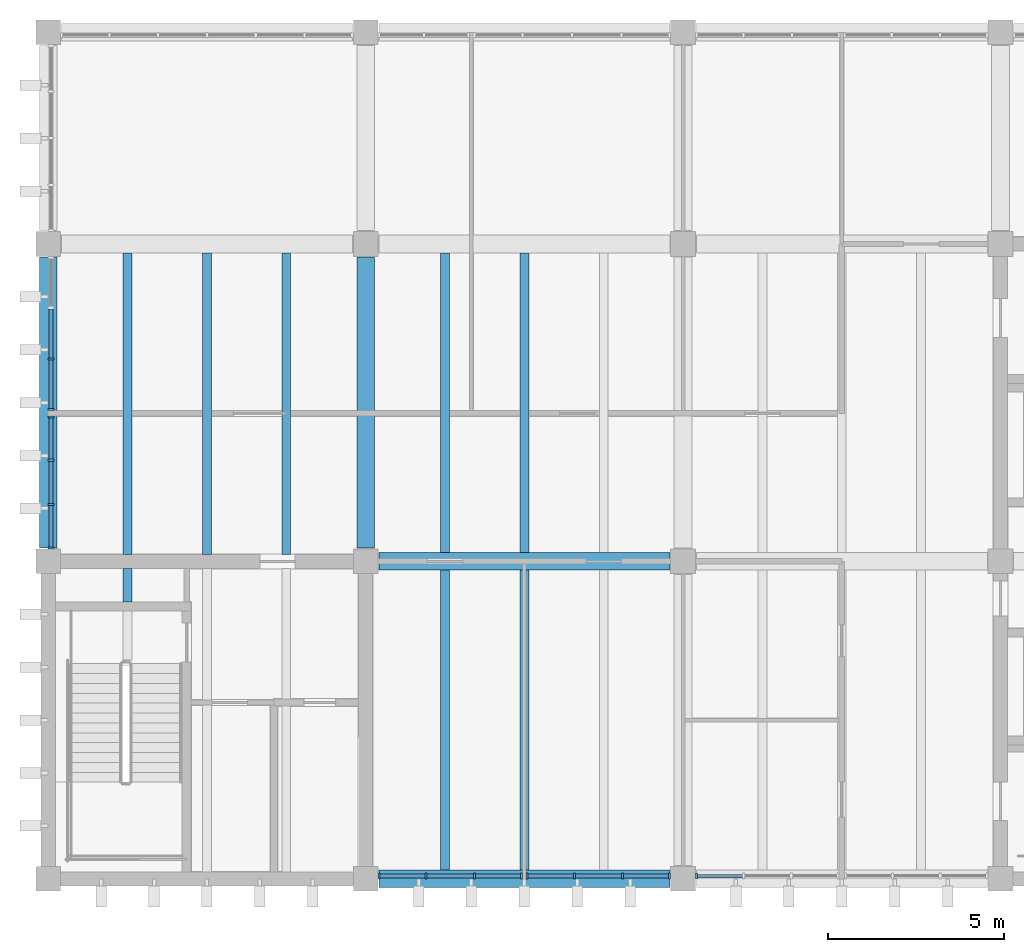
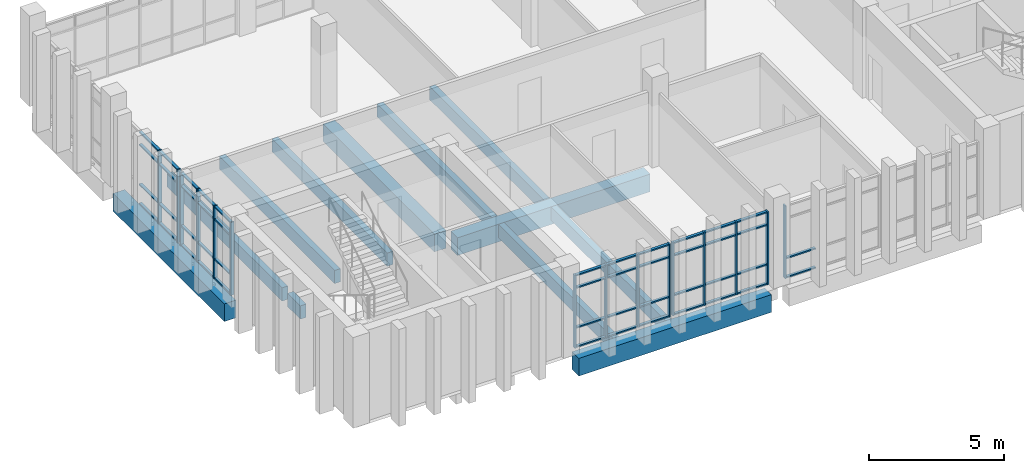
# One storey, part 2 of 14: 61 members, 12 beams, 5 elements without a shape of their own.
"""IFC4 building model written with IfcOpenShell, lengths in metres."""

import ifcopenshell
import ifcopenshell.guid

model = None  # the IFC model being written
_history = None  # IfcOwnerHistory: only IFC2X3 demands one
_inside = {}  # id of a spatial element -> (the spatial element, [elements in it])
_under = {}  # id of a project, library or spatial element -> (it, [spatial elements below it])
_declared = {}  # id of a project -> (the project, [libraries it declares])
_typed = {}  # id of a type object -> (the type object, [elements of that type])
_made_of = {}  # id of a material, layer set ... -> (it, [elements and type objects made of it])


def new_model(schema):
    """Start an empty IFC model of exactly this schema.

    Asked for "IFC4X3", IfcOpenShell would pick the latest addendum, in which some entities
    have other attributes; the version numbers below select the first issue.
    IFC2X3 requires an IfcOwnerHistory on every rooted entity: one is made here for all.
    """
    global model, _history
    if schema == "IFC4X3":
        model = ifcopenshell.file(schema_version=(4, 3, 0, 0))
    else:
        model = ifcopenshell.file(schema=schema)
    _inside.clear()
    _under.clear()
    _declared.clear()
    _typed.clear()
    _made_of.clear()
    _history = None
    if model.schema == "IFC2X3":
        org = make("IfcOrganization", Name="unknown")
        user = make(
            "IfcPersonAndOrganization",
            ThePerson=make("IfcPerson", FamilyName="unknown"),
            TheOrganization=org,
        )
        app = make(
            "IfcApplication",
            ApplicationDeveloper=org,
            Version="unknown",
            ApplicationFullName="unknown",
            ApplicationIdentifier="unknown",
        )
        _history = make(
            "IfcOwnerHistory",
            OwningUser=user,
            OwningApplication=app,
            ChangeAction="ADDED",
            CreationDate=0,
        )
    return model


def make(cls, **values):
    """One entity of the class cls with the attributes given. An attribute that is None is left unset."""
    return model.create_entity(
        cls, **{name: value for name, value in values.items() if value is not None}
    )


def rooted(cls, **values):
    """An entity with a GlobalId (a new one), such as an element, a storey or a relation."""
    return make(cls, GlobalId=ifcopenshell.guid.new(), OwnerHistory=_history, **values)


def si_unit(unit_type, name, prefix=None):
    """IfcSIUnit, for example si_unit("LENGTHUNIT", "METRE", prefix="MILLI")."""
    return make("IfcSIUnit", UnitType=unit_type, Prefix=prefix, Name=name)


def assignment(units):
    """IfcUnitAssignment: the units of a project."""
    return None if units is None else make("IfcUnitAssignment", Units=units)


def point(xyz):
    """IfcCartesianPoint."""
    return None if xyz is None else make("IfcCartesianPoint", Coordinates=xyz)


def direction(xyz):
    """IfcDirection."""
    return None if xyz is None else make("IfcDirection", DirectionRatios=xyz)


def frame(location, z_axis=None, x_axis=None):
    """IfcAxis2Placement3D, a coordinate frame: its origin and axes. An axis left out is left unset."""
    return make(
        "IfcAxis2Placement3D",
        Location=point(location),
        Axis=direction(z_axis),
        RefDirection=direction(x_axis),
    )


def frame_2d(location, x_axis=None):
    """IfcAxis2Placement2D, a coordinate frame in the plane: its origin and x axis."""
    return make(
        "IfcAxis2Placement2D", Location=point(location), RefDirection=direction(x_axis)
    )


def origin():
    """The frame at (0, 0, 0) with its axes left unset."""
    return frame((0.0, 0.0, 0.0))


def origin_2d():
    """The frame at (0, 0) in the plane with its x axis left unset."""
    return frame_2d((0.0, 0.0))


def place(relative_to, where):
    """IfcLocalPlacement: puts the frame where relative to a parent placement (None: the world)."""
    return make(
        "IfcLocalPlacement", PlacementRelTo=relative_to, RelativePlacement=where
    )


def context(
    kind, dimensions, precision=None, world=None, true_north=None, identifier=None
):
    """IfcGeometricRepresentationContext, for example the 3D "Model" context."""
    return make(
        "IfcGeometricRepresentationContext",
        ContextIdentifier=identifier,
        ContextType=kind,
        CoordinateSpaceDimension=dimensions,
        Precision=precision,
        WorldCoordinateSystem=world,
        TrueNorth=true_north,
    )


def subcontext(parent, identifier, kind, view, scale=None):
    """IfcGeometricRepresentationSubContext, for example "Body" below "Model"."""
    return make(
        "IfcGeometricRepresentationSubContext",
        ContextIdentifier=identifier,
        ContextType=kind,
        ParentContext=parent,
        TargetScale=scale,
        TargetView=view,
    )


def project(units=None, contexts=None):
    """IfcProject with its units and contexts."""
    return rooted(
        "IfcProject",
        Name="project",
        RepresentationContexts=contexts,
        UnitsInContext=assignment(units),
    )


def spatial(cls, under=None, at=None, **own):
    """A site, building, storey or space (cls), placed at a placement, below another one or the project."""
    s = rooted(cls, ObjectPlacement=at, **own)
    if under is not None:
        _under.setdefault(under.id(), (under, []))[1].append(s)
    return s


def profile(cls, at=None, kind="AREA", **sizes):
    """A parametric profile (cls). Its sizes go by their IFC names, for example OverallWidth=200.0."""
    return make(cls, ProfileType=kind, Position=at, **sizes)


def rectangle(**sizes):
    """IfcRectangleProfileDef."""
    return profile("IfcRectangleProfileDef", **sizes)


def extrude(swept, where, along, depth):
    """IfcExtrudedAreaSolid: the profile swept, set in the frame where, extruded along a direction by depth."""
    return make(
        "IfcExtrudedAreaSolid",
        SweptArea=swept,
        Position=where,
        ExtrudedDirection=direction(along),
        Depth=depth,
    )


def shape(context_of_items, identifier, shape_type, items):
    """IfcShapeRepresentation: the items that make up one representation, for example the "Body"."""
    return make(
        "IfcShapeRepresentation",
        ContextOfItems=context_of_items,
        RepresentationIdentifier=identifier,
        RepresentationType=shape_type,
        Items=items,
    )


def material(Name=None, Category=None):
    """IfcMaterial."""
    return make("IfcMaterial", Name=Name, Category=Category)


def material_profile(
    of_material, cross_section, Name=None, Category=None, Priority=None
):
    """IfcMaterialProfile: a cross section and its material."""
    return make(
        "IfcMaterialProfile",
        Name=Name,
        Material=of_material,
        Profile=cross_section,
        Priority=Priority,
        Category=Category,
    )


def profile_set(profiles, Name=None, composite=None):
    """IfcMaterialProfileSet."""
    return make(
        "IfcMaterialProfileSet",
        Name=Name,
        MaterialProfiles=profiles,
        CompositeProfile=composite,
    )


def made_of(thing, what):
    """Note that an element or type object is made of a material, layer set ...; save() writes the relation."""
    if what is not None:
        _made_of.setdefault(what.id(), (what, []))[1].append(thing)
    return thing


def type_object(cls, material=None, **own):
    """A type object (cls), such as IfcWallType, which elements share."""
    return made_of(rooted(cls, **own), material)


def element(
    cls,
    number,
    at=None,
    inside=None,
    cuts=None,
    type_object=None,
    material=None,
    context=None,
    identifier="Body",
    shape_type=None,
    held_by="IfcProductDefinitionShape",
    body=None,
    shapes=None,
    **own,
):
    """One element of the class cls, such as IfcWall. Its Tag is "e" and its number.

    at: its placement. inside: the storey or other place that contains it. cuts: it is an
    opening in that element (IfcRelVoidsElement). A single representation is given by context,
    identifier, shape_type and body (its items); several are given by shapes. held_by: the class
    of the entity that holds the representations. save() writes the other relations.
    """
    e = rooted(cls, Tag="e%d" % number, ObjectPlacement=at, **own)
    if body is not None:
        shapes = [shape(context, identifier, shape_type, body)]
    if shapes is not None:
        e.Representation = make(held_by, Representations=shapes)
    if inside is not None:
        _inside.setdefault(inside.id(), (inside, []))[1].append(e)
    if cuts is not None:
        rooted(
            "IfcRelVoidsElement", RelatingBuildingElement=cuts, RelatedOpeningElement=e
        )
    if type_object is not None:
        _typed.setdefault(type_object.id(), (type_object, []))[1].append(e)
    return made_of(e, material)


def aggregate(whole, parts):
    """IfcRelAggregates: a whole, such as a stair, and the parts it consists of."""
    return rooted("IfcRelAggregates", RelatingObject=whole, RelatedObjects=parts)


def save(model, path):
    """Write the relations noted so far, then the file.

    IfcRelAggregates (storeys below a building ...), IfcRelContainedInSpatialStructure (elements
    in a storey), IfcRelDefinesByType, IfcRelAssociatesMaterial and IfcRelDeclares: one each for
    every whole, place, type object, material and project.
    """
    for whole, parts in _under.values():
        aggregate(whole, parts)
    for where, things in _inside.values():
        rooted(
            "IfcRelContainedInSpatialStructure",
            RelatedElements=things,
            RelatingStructure=where,
        )
    for kind, things in _typed.values():
        rooted("IfcRelDefinesByType", RelatedObjects=things, RelatingType=kind)
    for what, things in _made_of.values():
        rooted("IfcRelAssociatesMaterial", RelatedObjects=things, RelatingMaterial=what)
    for by, libraries in _declared.values():
        rooted("IfcRelDeclares", RelatingContext=by, RelatedDefinitions=libraries)
    model.write(path)


model = new_model("IFC4")

# Units and contexts
model_context = context("Model", 3, precision=1e-05, world=origin(), true_north=direction((0.0, 1.0)))
body_context = subcontext(model_context, "Body", "Model", "MODEL_VIEW")
ifc_project = project(units=[si_unit("LENGTHUNIT", "METRE"), si_unit("AREAUNIT", "SQUARE_METRE"), si_unit("VOLUMEUNIT", "CUBIC_METRE"), si_unit("PLANEANGLEUNIT", "RADIAN"), si_unit("MASSUNIT", "GRAM", prefix="KILO")], contexts=[model_context])

# Site, building, storey
site_placement = place(None, origin())
site = spatial("IfcSite", under=ifc_project, at=site_placement, CompositionType="ELEMENT")
building_placement = place(site_placement, origin())
building = spatial("IfcBuilding", under=site, at=building_placement, Name="Merrow Basin Faculty of Sciences", CompositionType="ELEMENT")
storey_placement = place(building_placement, frame((0.0, 0.0, 36.0)))
storey = spatial("IfcBuildingStorey", under=building, at=storey_placement, Name="L08", CompositionType="ELEMENT", Elevation=36.0)

# Curtain wall, members
ifc_material_1 = material(Name="Aluminium alloy 6063", Category="aluminium")
curtain_wall_type = type_object("IfcCurtainWallType", Name="Unitised curtain wall 160", PredefinedType="NOTDEFINED", material=ifc_material_1)
curtain_wall_1_placement = place(storey_placement, origin())
curtain_wall_1 = element("IfcCurtainWall", 1, at=curtain_wall_1_placement, inside=storey, type_object=curtain_wall_type, Name="W curtain wall L08 1", PredefinedType="NOTDEFINED")
ifc_material_2 = material(Name="Aluminium alloy 6063", Category="aluminium")
ifc_material_profile_1 = material_profile(ifc_material_2, rectangle(XDim=0.159912109375, YDim=0.06005859375, at=origin_2d()))
ifc_profile_set_1 = profile_set([ifc_material_profile_1], Name="Aluminium alloy 6063")
member_type_1 = type_object("IfcMemberType", Name="Aluminium mullion 60x160", PredefinedType="MULLION", material=ifc_profile_set_1)
member_1_placement = place(storey_placement, frame((18.080078125, 151.3798828125, 0.0), z_axis=(0.0, 0.0, 1.0), x_axis=(-1.0, 0.0, 0.0)))
member_1 = element("IfcMember", 2, at=member_1_placement, type_object=member_type_1, Name="CW3 mullion 1", PredefinedType="MULLION", context=body_context, shape_type="SweptSolid", body=[
    extrude(rectangle(XDim=0.159912109375, YDim=0.06005859375, at=origin_2d()), origin(), (0.0, 0.0, 1.0), 3.300048828125),
])
member_2_placement = place(storey_placement, frame((18.080078125, 152.6083984375, 0.0), z_axis=(0.0, 0.0, 1.0), x_axis=(-1.0, 0.0, 0.0)))
member_2 = element("IfcMember", 3, at=member_2_placement, type_object=member_type_1, Name="CW3 mullion 2", PredefinedType="MULLION", context=body_context, shape_type="SweptSolid", body=[
    extrude(rectangle(XDim=0.159912109375, YDim=0.06005859375, at=origin_2d()), origin(), (0.0, 0.0, 1.0), 3.300048828125),
])
member_3_placement = place(storey_placement, frame((18.080078125, 153.86669921875, 0.0), z_axis=(0.0, 0.0, 1.0), x_axis=(-1.0, 0.0, 0.0)))
member_3 = element("IfcMember", 4, at=member_3_placement, type_object=member_type_1, Name="CW3 mullion 3", PredefinedType="MULLION", context=body_context, shape_type="SweptSolid", body=[
    extrude(rectangle(XDim=0.159912109375, YDim=0.06005859375, at=origin_2d()), origin(), (0.0, 0.0, 1.0), 3.300048828125),
])
member_4_placement = place(storey_placement, frame((18.080078125, 155.094970703125, 0.0), z_axis=(0.0, 0.0, 1.0), x_axis=(-1.0, 0.0, 0.0)))
member_4 = element("IfcMember", 5, at=member_4_placement, type_object=member_type_1, Name="CW3 mullion 4", PredefinedType="MULLION", context=body_context, shape_type="SweptSolid", body=[
    extrude(rectangle(XDim=0.159912109375, YDim=0.06005859375, at=origin_2d()), origin(), (0.0, 0.0, 1.0), 3.300048828125),
])

curtain_wall_2_placement = place(storey_placement, origin())
curtain_wall_2 = element("IfcCurtainWall", 6, at=curtain_wall_2_placement, inside=storey, type_object=curtain_wall_type, Name="W curtain wall L08 2", PredefinedType="NOTDEFINED")
member_5_placement = place(storey_placement, frame((18.080078125, 155.304931640625, 0.0), z_axis=(0.0, 0.0, 1.0), x_axis=(-1.0, 0.0, 0.0)))
member_5 = element("IfcMember", 7, at=member_5_placement, type_object=member_type_1, Name="CW3 mullion 1", PredefinedType="MULLION", context=body_context, shape_type="SweptSolid", body=[
    extrude(rectangle(XDim=0.159912109375, YDim=0.06005859375, at=origin_2d()), origin(), (0.0, 0.0, 1.0), 3.300048828125),
])
member_6_placement = place(storey_placement, frame((18.080078125, 156.7333984375, 0.0), z_axis=(0.0, 0.0, 1.0), x_axis=(-1.0, 0.0, 0.0)))
member_6 = element("IfcMember", 8, at=member_6_placement, type_object=member_type_1, Name="CW3 mullion 2", PredefinedType="MULLION", context=body_context, shape_type="SweptSolid", body=[
    extrude(rectangle(XDim=0.159912109375, YDim=0.06005859375, at=origin_2d()), origin(), (0.0, 0.0, 1.0), 3.300048828125),
])

curtain_wall_3_placement = place(storey_placement, origin())
curtain_wall_3 = element("IfcCurtainWall", 9, at=curtain_wall_3_placement, inside=storey, type_object=curtain_wall_type, Name="S curtain wall L08 1", PredefinedType="NOTDEFINED")
member_7_placement = place(storey_placement, frame((27.3798828125, 142.080078125, 0.0), z_axis=(0.0, 0.0, 1.0), x_axis=(0.0, 1.0, 0.0)))
member_7 = element("IfcMember", 10, at=member_7_placement, type_object=member_type_1, Name="CW3 mullion 1", PredefinedType="MULLION", context=body_context, shape_type="SweptSolid", body=[
    extrude(rectangle(XDim=0.159912109375, YDim=0.06005859375, at=origin_2d()), origin(), (0.0, 0.0, 1.0), 3.300048828125),
])
member_8_placement = place(storey_placement, frame((28.716552734375, 142.080078125, 0.0), z_axis=(0.0, 0.0, 1.0), x_axis=(0.0, 1.0, 0.0)))
member_8 = element("IfcMember", 11, at=member_8_placement, type_object=member_type_1, Name="CW3 mullion 2", PredefinedType="MULLION", context=body_context, shape_type="SweptSolid", body=[
    extrude(rectangle(XDim=0.159912109375, YDim=0.06005859375, at=origin_2d()), origin(), (0.0, 0.0, 1.0), 3.300048828125),
])
member_9_placement = place(storey_placement, frame((30.083251953125, 142.080078125, 0.0), z_axis=(0.0, 0.0, 1.0), x_axis=(0.0, 1.0, 0.0)))
member_9 = element("IfcMember", 12, at=member_9_placement, type_object=member_type_1, Name="CW3 mullion 3", PredefinedType="MULLION", context=body_context, shape_type="SweptSolid", body=[
    extrude(rectangle(XDim=0.159912109375, YDim=0.06005859375, at=origin_2d()), origin(), (0.0, 0.0, 1.0), 3.300048828125),
])
member_10_placement = place(storey_placement, frame((31.419921875, 142.080078125, 0.0), z_axis=(0.0, 0.0, 1.0), x_axis=(0.0, 1.0, 0.0)))
member_10 = element("IfcMember", 13, at=member_10_placement, type_object=member_type_1, Name="CW3 mullion 4", PredefinedType="MULLION", context=body_context, shape_type="SweptSolid", body=[
    extrude(rectangle(XDim=0.159912109375, YDim=0.06005859375, at=origin_2d()), origin(), (0.0, 0.0, 1.0), 3.300048828125),
])

curtain_wall_4_placement = place(storey_placement, origin())
curtain_wall_4 = element("IfcCurtainWall", 14, at=curtain_wall_4_placement, inside=storey, type_object=curtain_wall_type, Name="S curtain wall L08 2", PredefinedType="NOTDEFINED")
member_11_placement = place(storey_placement, frame((31.580078125, 142.080078125, 0.0), z_axis=(0.0, 0.0, 1.0), x_axis=(0.0, 1.0, 0.0)))
member_11 = element("IfcMember", 15, at=member_11_placement, type_object=member_type_1, Name="CW3 mullion 1", PredefinedType="MULLION", context=body_context, shape_type="SweptSolid", body=[
    extrude(rectangle(XDim=0.159912109375, YDim=0.06005859375, at=origin_2d()), origin(), (0.0, 0.0, 1.0), 3.300048828125),
])
member_12_placement = place(storey_placement, frame((32.916748046875, 142.080078125, 0.0), z_axis=(0.0, 0.0, 1.0), x_axis=(0.0, 1.0, 0.0)))
member_12 = element("IfcMember", 16, at=member_12_placement, type_object=member_type_1, Name="CW3 mullion 2", PredefinedType="MULLION", context=body_context, shape_type="SweptSolid", body=[
    extrude(rectangle(XDim=0.159912109375, YDim=0.06005859375, at=origin_2d()), origin(), (0.0, 0.0, 1.0), 3.300048828125),
])
member_13_placement = place(storey_placement, frame((34.283447265625, 142.080078125, 0.0), z_axis=(0.0, 0.0, 1.0), x_axis=(0.0, 1.0, 0.0)))
member_13 = element("IfcMember", 17, at=member_13_placement, type_object=member_type_1, Name="CW3 mullion 3", PredefinedType="MULLION", context=body_context, shape_type="SweptSolid", body=[
    extrude(rectangle(XDim=0.159912109375, YDim=0.06005859375, at=origin_2d()), origin(), (0.0, 0.0, 1.0), 3.300048828125),
])
member_14_placement = place(storey_placement, frame((35.6201171875, 142.080078125, 0.0), z_axis=(0.0, 0.0, 1.0), x_axis=(0.0, 1.0, 0.0)))
member_14 = element("IfcMember", 18, at=member_14_placement, type_object=member_type_1, Name="CW3 mullion 4", PredefinedType="MULLION", context=body_context, shape_type="SweptSolid", body=[
    extrude(rectangle(XDim=0.159912109375, YDim=0.06005859375, at=origin_2d()), origin(), (0.0, 0.0, 1.0), 3.300048828125),
])

# Curtain wall, member
curtain_wall_5_placement = place(storey_placement, origin())
curtain_wall_5 = element("IfcCurtainWall", 19, at=curtain_wall_5_placement, inside=storey, type_object=curtain_wall_type, Name="S curtain wall L08 3", PredefinedType="NOTDEFINED")
member_15_placement = place(storey_placement, frame((36.3798828125, 142.080078125, 0.0), z_axis=(0.0, 0.0, 1.0), x_axis=(0.0, 1.0, 0.0)))
member_15 = element("IfcMember", 20, at=member_15_placement, type_object=member_type_1, Name="CW3 mullion 1", PredefinedType="MULLION", context=body_context, shape_type="SweptSolid", body=[
    extrude(rectangle(XDim=0.159912109375, YDim=0.06005859375, at=origin_2d()), origin(), (0.0, 0.0, 1.0), 3.300048828125),
])

# Member
ifc_material_3 = material(Name="Aluminium alloy 6063", Category="aluminium")
ifc_material_profile_2 = material_profile(ifc_material_3, rectangle(XDim=0.1201171875, YDim=0.06005859375, at=origin_2d()))
ifc_profile_set_2 = profile_set([ifc_material_profile_2], Name="Aluminium alloy 6063")
member_type_2 = type_object("IfcMemberType", Name="Aluminium transom 60x120", PredefinedType="USERDEFINED", material=ifc_profile_set_2)
member_16_placement = place(storey_placement, frame((18.080078125, 151.409912109375, 0.030029296875), z_axis=(0.0, 1.0, 0.0), x_axis=(-1.0, 0.0, 0.0)))
member_16 = element("IfcMember", 21, at=member_16_placement, type_object=member_type_2, Name="CW3 transom 1.1", ObjectType="TRANSOM", PredefinedType="USERDEFINED", context=body_context, shape_type="SweptSolid", body=[
    extrude(rectangle(XDim=0.1201171875, YDim=0.06005859375, at=origin_2d()), origin(), (0.0, 0.0, 1.0), 1.16845703125),
])

member_17_placement = place(storey_placement, frame((18.080078125, 151.409912109375, 0.89990234375), z_axis=(0.0, 1.0, 0.0), x_axis=(-1.0, 0.0, 0.0)))
member_17 = element("IfcMember", 22, at=member_17_placement, type_object=member_type_2, Name="CW3 transom 1.2", ObjectType="TRANSOM", PredefinedType="USERDEFINED", context=body_context, shape_type="SweptSolid", body=[
    extrude(rectangle(XDim=0.1201171875, YDim=0.06005859375, at=origin_2d()), origin(), (0.0, 0.0, 1.0), 1.16845703125),
])

member_18_placement = place(storey_placement, frame((18.080078125, 151.409912109375, 2.699951171875), z_axis=(0.0, 1.0, 0.0), x_axis=(-1.0, 0.0, 0.0)))
member_18 = element("IfcMember", 23, at=member_18_placement, type_object=member_type_2, Name="CW3 transom 1.3", ObjectType="TRANSOM", PredefinedType="USERDEFINED", context=body_context, shape_type="SweptSolid", body=[
    extrude(rectangle(XDim=0.1201171875, YDim=0.06005859375, at=origin_2d()), origin(), (0.0, 0.0, 1.0), 1.16845703125),
])

member_19_placement = place(storey_placement, frame((18.080078125, 151.409912109375, 3.27001953125), z_axis=(0.0, 1.0, 0.0), x_axis=(-1.0, 0.0, 0.0)))
member_19 = element("IfcMember", 24, at=member_19_placement, type_object=member_type_2, Name="CW3 transom 1.4", ObjectType="TRANSOM", PredefinedType="USERDEFINED", context=body_context, shape_type="SweptSolid", body=[
    extrude(rectangle(XDim=0.1201171875, YDim=0.06005859375, at=origin_2d()), origin(), (0.0, 0.0, 1.0), 1.16845703125),
])

member_20_placement = place(storey_placement, frame((18.080078125, 152.638427734375, 0.030029296875), z_axis=(0.0, 1.0, 0.0), x_axis=(-1.0, 0.0, 0.0)))
member_20 = element("IfcMember", 25, at=member_20_placement, type_object=member_type_2, Name="CW3 transom 2.1", ObjectType="TRANSOM", PredefinedType="USERDEFINED", context=body_context, shape_type="SweptSolid", body=[
    extrude(rectangle(XDim=0.1201171875, YDim=0.06005859375, at=origin_2d()), origin(), (0.0, 0.0, 1.0), 1.1982421875),
])

member_21_placement = place(storey_placement, frame((18.080078125, 152.638427734375, 0.89990234375), z_axis=(0.0, 1.0, 0.0), x_axis=(-1.0, 0.0, 0.0)))
member_21 = element("IfcMember", 26, at=member_21_placement, type_object=member_type_2, Name="CW3 transom 2.2", ObjectType="TRANSOM", PredefinedType="USERDEFINED", context=body_context, shape_type="SweptSolid", body=[
    extrude(rectangle(XDim=0.1201171875, YDim=0.06005859375, at=origin_2d()), origin(), (0.0, 0.0, 1.0), 1.1982421875),
])

member_22_placement = place(storey_placement, frame((18.080078125, 152.638427734375, 2.699951171875), z_axis=(0.0, 1.0, 0.0), x_axis=(-1.0, 0.0, 0.0)))
member_22 = element("IfcMember", 27, at=member_22_placement, type_object=member_type_2, Name="CW3 transom 2.3", ObjectType="TRANSOM", PredefinedType="USERDEFINED", context=body_context, shape_type="SweptSolid", body=[
    extrude(rectangle(XDim=0.1201171875, YDim=0.06005859375, at=origin_2d()), origin(), (0.0, 0.0, 1.0), 1.1982421875),
])

member_23_placement = place(storey_placement, frame((18.080078125, 152.638427734375, 3.27001953125), z_axis=(0.0, 1.0, 0.0), x_axis=(-1.0, 0.0, 0.0)))
member_23 = element("IfcMember", 28, at=member_23_placement, type_object=member_type_2, Name="CW3 transom 2.4", ObjectType="TRANSOM", PredefinedType="USERDEFINED", context=body_context, shape_type="SweptSolid", body=[
    extrude(rectangle(XDim=0.1201171875, YDim=0.06005859375, at=origin_2d()), origin(), (0.0, 0.0, 1.0), 1.1982421875),
])

member_24_placement = place(storey_placement, frame((18.080078125, 153.896728515625, 0.030029296875), z_axis=(0.0, 1.0, 0.0), x_axis=(-1.0, 0.0, 0.0)))
member_24 = element("IfcMember", 29, at=member_24_placement, type_object=member_type_2, Name="CW3 transom 3.1", ObjectType="TRANSOM", PredefinedType="USERDEFINED", context=body_context, shape_type="SweptSolid", body=[
    extrude(rectangle(XDim=0.1201171875, YDim=0.06005859375, at=origin_2d()), origin(), (0.0, 0.0, 1.0), 1.168212890625),
])

member_25_placement = place(storey_placement, frame((18.080078125, 153.896728515625, 0.89990234375), z_axis=(0.0, 1.0, 0.0), x_axis=(-1.0, 0.0, 0.0)))
member_25 = element("IfcMember", 30, at=member_25_placement, type_object=member_type_2, Name="CW3 transom 3.2", ObjectType="TRANSOM", PredefinedType="USERDEFINED", context=body_context, shape_type="SweptSolid", body=[
    extrude(rectangle(XDim=0.1201171875, YDim=0.06005859375, at=origin_2d()), origin(), (0.0, 0.0, 1.0), 1.168212890625),
])

member_26_placement = place(storey_placement, frame((18.080078125, 153.896728515625, 2.699951171875), z_axis=(0.0, 1.0, 0.0), x_axis=(-1.0, 0.0, 0.0)))
member_26 = element("IfcMember", 31, at=member_26_placement, type_object=member_type_2, Name="CW3 transom 3.3", ObjectType="TRANSOM", PredefinedType="USERDEFINED", context=body_context, shape_type="SweptSolid", body=[
    extrude(rectangle(XDim=0.1201171875, YDim=0.06005859375, at=origin_2d()), origin(), (0.0, 0.0, 1.0), 1.168212890625),
])

member_27_placement = place(storey_placement, frame((18.080078125, 153.896728515625, 3.27001953125), z_axis=(0.0, 1.0, 0.0), x_axis=(-1.0, 0.0, 0.0)))
member_27 = element("IfcMember", 32, at=member_27_placement, type_object=member_type_2, Name="CW3 transom 3.4", ObjectType="TRANSOM", PredefinedType="USERDEFINED", context=body_context, shape_type="SweptSolid", body=[
    extrude(rectangle(XDim=0.1201171875, YDim=0.06005859375, at=origin_2d()), origin(), (0.0, 0.0, 1.0), 1.168212890625),
])

aggregate(curtain_wall_1, [member_1, member_2, member_3, member_4, member_16, member_17, member_18, member_19, member_20, member_21, member_22, member_23, member_24, member_25, member_26, member_27])

member_28_placement = place(storey_placement, frame((18.080078125, 155.3349609375, 0.030029296875), z_axis=(0.0, 1.0, 0.0), x_axis=(-1.0, 0.0, 0.0)))
member_28 = element("IfcMember", 33, at=member_28_placement, type_object=member_type_2, Name="CW3 transom 1.1", ObjectType="TRANSOM", PredefinedType="USERDEFINED", context=body_context, shape_type="SweptSolid", body=[
    extrude(rectangle(XDim=0.1201171875, YDim=0.06005859375, at=origin_2d()), origin(), (0.0, 0.0, 1.0), 1.368408203125),
])

member_29_placement = place(storey_placement, frame((18.080078125, 155.3349609375, 0.89990234375), z_axis=(0.0, 1.0, 0.0), x_axis=(-1.0, 0.0, 0.0)))
member_29 = element("IfcMember", 34, at=member_29_placement, type_object=member_type_2, Name="CW3 transom 1.2", ObjectType="TRANSOM", PredefinedType="USERDEFINED", context=body_context, shape_type="SweptSolid", body=[
    extrude(rectangle(XDim=0.1201171875, YDim=0.06005859375, at=origin_2d()), origin(), (0.0, 0.0, 1.0), 1.368408203125),
])

member_30_placement = place(storey_placement, frame((18.080078125, 155.3349609375, 2.699951171875), z_axis=(0.0, 1.0, 0.0), x_axis=(-1.0, 0.0, 0.0)))
member_30 = element("IfcMember", 35, at=member_30_placement, type_object=member_type_2, Name="CW3 transom 1.3", ObjectType="TRANSOM", PredefinedType="USERDEFINED", context=body_context, shape_type="SweptSolid", body=[
    extrude(rectangle(XDim=0.1201171875, YDim=0.06005859375, at=origin_2d()), origin(), (0.0, 0.0, 1.0), 1.368408203125),
])

member_31_placement = place(storey_placement, frame((18.080078125, 155.3349609375, 3.27001953125), z_axis=(0.0, 1.0, 0.0), x_axis=(-1.0, 0.0, 0.0)))
member_31 = element("IfcMember", 36, at=member_31_placement, type_object=member_type_2, Name="CW3 transom 1.4", ObjectType="TRANSOM", PredefinedType="USERDEFINED", context=body_context, shape_type="SweptSolid", body=[
    extrude(rectangle(XDim=0.1201171875, YDim=0.06005859375, at=origin_2d()), origin(), (0.0, 0.0, 1.0), 1.368408203125),
])

member_32_placement = place(storey_placement, frame((18.080078125, 156.763427734375, 0.030029296875), z_axis=(0.0, 1.0, 0.0), x_axis=(-1.0, 0.0, 0.0)))
member_32 = element("IfcMember", 37, at=member_32_placement, type_object=member_type_2, Name="CW3 transom 2.1", ObjectType="TRANSOM", PredefinedType="USERDEFINED", context=body_context, shape_type="SweptSolid", body=[
    extrude(rectangle(XDim=0.1201171875, YDim=0.06005859375, at=origin_2d()), origin(), (0.0, 0.0, 1.0), 1.398193359375),
])

member_33_placement = place(storey_placement, frame((18.080078125, 156.763427734375, 0.89990234375), z_axis=(0.0, 1.0, 0.0), x_axis=(-1.0, 0.0, 0.0)))
member_33 = element("IfcMember", 38, at=member_33_placement, type_object=member_type_2, Name="CW3 transom 2.2", ObjectType="TRANSOM", PredefinedType="USERDEFINED", context=body_context, shape_type="SweptSolid", body=[
    extrude(rectangle(XDim=0.1201171875, YDim=0.06005859375, at=origin_2d()), origin(), (0.0, 0.0, 1.0), 1.398193359375),
])

member_34_placement = place(storey_placement, frame((18.080078125, 156.763427734375, 2.699951171875), z_axis=(0.0, 1.0, 0.0), x_axis=(-1.0, 0.0, 0.0)))
member_34 = element("IfcMember", 39, at=member_34_placement, type_object=member_type_2, Name="CW3 transom 2.3", ObjectType="TRANSOM", PredefinedType="USERDEFINED", context=body_context, shape_type="SweptSolid", body=[
    extrude(rectangle(XDim=0.1201171875, YDim=0.06005859375, at=origin_2d()), origin(), (0.0, 0.0, 1.0), 1.398193359375),
])

member_35_placement = place(storey_placement, frame((18.080078125, 156.763427734375, 3.27001953125), z_axis=(0.0, 1.0, 0.0), x_axis=(-1.0, 0.0, 0.0)))
member_35 = element("IfcMember", 40, at=member_35_placement, type_object=member_type_2, Name="CW3 transom 2.4", ObjectType="TRANSOM", PredefinedType="USERDEFINED", context=body_context, shape_type="SweptSolid", body=[
    extrude(rectangle(XDim=0.1201171875, YDim=0.06005859375, at=origin_2d()), origin(), (0.0, 0.0, 1.0), 1.398193359375),
])

aggregate(curtain_wall_2, [member_5, member_6, member_28, member_29, member_30, member_31, member_32, member_33, member_34, member_35])

member_36_placement = place(storey_placement, frame((27.409912109375, 142.080078125, 0.030029296875), z_axis=(1.0, 0.0, 0.0), x_axis=(0.0, 1.0, 0.0)))
member_36 = element("IfcMember", 41, at=member_36_placement, type_object=member_type_2, Name="CW3 transom 1.1", ObjectType="TRANSOM", PredefinedType="USERDEFINED", context=body_context, shape_type="SweptSolid", body=[
    extrude(rectangle(XDim=0.1201171875, YDim=0.06005859375, at=origin_2d()), origin(), (0.0, 0.0, 1.0), 1.27685546875),
])

member_37_placement = place(storey_placement, frame((27.409912109375, 142.080078125, 0.89990234375), z_axis=(1.0, 0.0, 0.0), x_axis=(0.0, 1.0, 0.0)))
member_37 = element("IfcMember", 42, at=member_37_placement, type_object=member_type_2, Name="CW3 transom 1.2", ObjectType="TRANSOM", PredefinedType="USERDEFINED", context=body_context, shape_type="SweptSolid", body=[
    extrude(rectangle(XDim=0.1201171875, YDim=0.06005859375, at=origin_2d()), origin(), (0.0, 0.0, 1.0), 1.27685546875),
])

member_38_placement = place(storey_placement, frame((27.409912109375, 142.080078125, 2.699951171875), z_axis=(1.0, 0.0, 0.0), x_axis=(0.0, 1.0, 0.0)))
member_38 = element("IfcMember", 43, at=member_38_placement, type_object=member_type_2, Name="CW3 transom 1.3", ObjectType="TRANSOM", PredefinedType="USERDEFINED", context=body_context, shape_type="SweptSolid", body=[
    extrude(rectangle(XDim=0.1201171875, YDim=0.06005859375, at=origin_2d()), origin(), (0.0, 0.0, 1.0), 1.27685546875),
])

member_39_placement = place(storey_placement, frame((27.409912109375, 142.080078125, 3.27001953125), z_axis=(1.0, 0.0, 0.0), x_axis=(0.0, 1.0, 0.0)))
member_39 = element("IfcMember", 44, at=member_39_placement, type_object=member_type_2, Name="CW3 transom 1.4", ObjectType="TRANSOM", PredefinedType="USERDEFINED", context=body_context, shape_type="SweptSolid", body=[
    extrude(rectangle(XDim=0.1201171875, YDim=0.06005859375, at=origin_2d()), origin(), (0.0, 0.0, 1.0), 1.27685546875),
])

member_40_placement = place(storey_placement, frame((28.74658203125, 142.080078125, 0.030029296875), z_axis=(1.0, 0.0, 0.0), x_axis=(0.0, 1.0, 0.0)))
member_40 = element("IfcMember", 45, at=member_40_placement, type_object=member_type_2, Name="CW3 transom 2.1", ObjectType="TRANSOM", PredefinedType="USERDEFINED", context=body_context, shape_type="SweptSolid", body=[
    extrude(rectangle(XDim=0.1201171875, YDim=0.06005859375, at=origin_2d()), origin(), (0.0, 0.0, 1.0), 1.306640625),
])

member_41_placement = place(storey_placement, frame((28.74658203125, 142.080078125, 0.89990234375), z_axis=(1.0, 0.0, 0.0), x_axis=(0.0, 1.0, 0.0)))
member_41 = element("IfcMember", 46, at=member_41_placement, type_object=member_type_2, Name="CW3 transom 2.2", ObjectType="TRANSOM", PredefinedType="USERDEFINED", context=body_context, shape_type="SweptSolid", body=[
    extrude(rectangle(XDim=0.1201171875, YDim=0.06005859375, at=origin_2d()), origin(), (0.0, 0.0, 1.0), 1.306640625),
])

member_42_placement = place(storey_placement, frame((28.74658203125, 142.080078125, 2.699951171875), z_axis=(1.0, 0.0, 0.0), x_axis=(0.0, 1.0, 0.0)))
member_42 = element("IfcMember", 47, at=member_42_placement, type_object=member_type_2, Name="CW3 transom 2.3", ObjectType="TRANSOM", PredefinedType="USERDEFINED", context=body_context, shape_type="SweptSolid", body=[
    extrude(rectangle(XDim=0.1201171875, YDim=0.06005859375, at=origin_2d()), origin(), (0.0, 0.0, 1.0), 1.306640625),
])

member_43_placement = place(storey_placement, frame((28.74658203125, 142.080078125, 3.27001953125), z_axis=(1.0, 0.0, 0.0), x_axis=(0.0, 1.0, 0.0)))
member_43 = element("IfcMember", 48, at=member_43_placement, type_object=member_type_2, Name="CW3 transom 2.4", ObjectType="TRANSOM", PredefinedType="USERDEFINED", context=body_context, shape_type="SweptSolid", body=[
    extrude(rectangle(XDim=0.1201171875, YDim=0.06005859375, at=origin_2d()), origin(), (0.0, 0.0, 1.0), 1.306640625),
])

member_44_placement = place(storey_placement, frame((30.11328125, 142.080078125, 0.030029296875), z_axis=(1.0, 0.0, 0.0), x_axis=(0.0, 1.0, 0.0)))
member_44 = element("IfcMember", 49, at=member_44_placement, type_object=member_type_2, Name="CW3 transom 3.1", ObjectType="TRANSOM", PredefinedType="USERDEFINED", context=body_context, shape_type="SweptSolid", body=[
    extrude(rectangle(XDim=0.1201171875, YDim=0.06005859375, at=origin_2d()), origin(), (0.0, 0.0, 1.0), 1.276611328125),
])

member_45_placement = place(storey_placement, frame((30.11328125, 142.080078125, 0.89990234375), z_axis=(1.0, 0.0, 0.0), x_axis=(0.0, 1.0, 0.0)))
member_45 = element("IfcMember", 50, at=member_45_placement, type_object=member_type_2, Name="CW3 transom 3.2", ObjectType="TRANSOM", PredefinedType="USERDEFINED", context=body_context, shape_type="SweptSolid", body=[
    extrude(rectangle(XDim=0.1201171875, YDim=0.06005859375, at=origin_2d()), origin(), (0.0, 0.0, 1.0), 1.276611328125),
])

member_46_placement = place(storey_placement, frame((30.11328125, 142.080078125, 2.699951171875), z_axis=(1.0, 0.0, 0.0), x_axis=(0.0, 1.0, 0.0)))
member_46 = element("IfcMember", 51, at=member_46_placement, type_object=member_type_2, Name="CW3 transom 3.3", ObjectType="TRANSOM", PredefinedType="USERDEFINED", context=body_context, shape_type="SweptSolid", body=[
    extrude(rectangle(XDim=0.1201171875, YDim=0.06005859375, at=origin_2d()), origin(), (0.0, 0.0, 1.0), 1.276611328125),
])

member_47_placement = place(storey_placement, frame((30.11328125, 142.080078125, 3.27001953125), z_axis=(1.0, 0.0, 0.0), x_axis=(0.0, 1.0, 0.0)))
member_47 = element("IfcMember", 52, at=member_47_placement, type_object=member_type_2, Name="CW3 transom 3.4", ObjectType="TRANSOM", PredefinedType="USERDEFINED", context=body_context, shape_type="SweptSolid", body=[
    extrude(rectangle(XDim=0.1201171875, YDim=0.06005859375, at=origin_2d()), origin(), (0.0, 0.0, 1.0), 1.276611328125),
])

aggregate(curtain_wall_3, [member_7, member_8, member_9, member_10, member_36, member_37, member_38, member_39, member_40, member_41, member_42, member_43, member_44, member_45, member_46, member_47])

member_48_placement = place(storey_placement, frame((31.610107421875, 142.080078125, 0.030029296875), z_axis=(1.0, 0.0, 0.0), x_axis=(0.0, 1.0, 0.0)))
member_48 = element("IfcMember", 53, at=member_48_placement, type_object=member_type_2, Name="CW3 transom 1.1", ObjectType="TRANSOM", PredefinedType="USERDEFINED", context=body_context, shape_type="SweptSolid", body=[
    extrude(rectangle(XDim=0.1201171875, YDim=0.06005859375, at=origin_2d()), origin(), (0.0, 0.0, 1.0), 1.276611328125),
])

member_49_placement = place(storey_placement, frame((31.610107421875, 142.080078125, 0.89990234375), z_axis=(1.0, 0.0, 0.0), x_axis=(0.0, 1.0, 0.0)))
member_49 = element("IfcMember", 54, at=member_49_placement, type_object=member_type_2, Name="CW3 transom 1.2", ObjectType="TRANSOM", PredefinedType="USERDEFINED", context=body_context, shape_type="SweptSolid", body=[
    extrude(rectangle(XDim=0.1201171875, YDim=0.06005859375, at=origin_2d()), origin(), (0.0, 0.0, 1.0), 1.276611328125),
])

member_50_placement = place(storey_placement, frame((31.610107421875, 142.080078125, 2.699951171875), z_axis=(1.0, 0.0, 0.0), x_axis=(0.0, 1.0, 0.0)))
member_50 = element("IfcMember", 55, at=member_50_placement, type_object=member_type_2, Name="CW3 transom 1.3", ObjectType="TRANSOM", PredefinedType="USERDEFINED", context=body_context, shape_type="SweptSolid", body=[
    extrude(rectangle(XDim=0.1201171875, YDim=0.06005859375, at=origin_2d()), origin(), (0.0, 0.0, 1.0), 1.276611328125),
])

member_51_placement = place(storey_placement, frame((31.610107421875, 142.080078125, 3.27001953125), z_axis=(1.0, 0.0, 0.0), x_axis=(0.0, 1.0, 0.0)))
member_51 = element("IfcMember", 56, at=member_51_placement, type_object=member_type_2, Name="CW3 transom 1.4", ObjectType="TRANSOM", PredefinedType="USERDEFINED", context=body_context, shape_type="SweptSolid", body=[
    extrude(rectangle(XDim=0.1201171875, YDim=0.06005859375, at=origin_2d()), origin(), (0.0, 0.0, 1.0), 1.276611328125),
])

member_52_placement = place(storey_placement, frame((32.94677734375, 142.080078125, 0.030029296875), z_axis=(1.0, 0.0, 0.0), x_axis=(0.0, 1.0, 0.0)))
member_52 = element("IfcMember", 57, at=member_52_placement, type_object=member_type_2, Name="CW3 transom 2.1", ObjectType="TRANSOM", PredefinedType="USERDEFINED", context=body_context, shape_type="SweptSolid", body=[
    extrude(rectangle(XDim=0.1201171875, YDim=0.06005859375, at=origin_2d()), origin(), (0.0, 0.0, 1.0), 1.306640625),
])

member_53_placement = place(storey_placement, frame((32.94677734375, 142.080078125, 0.89990234375), z_axis=(1.0, 0.0, 0.0), x_axis=(0.0, 1.0, 0.0)))
member_53 = element("IfcMember", 58, at=member_53_placement, type_object=member_type_2, Name="CW3 transom 2.2", ObjectType="TRANSOM", PredefinedType="USERDEFINED", context=body_context, shape_type="SweptSolid", body=[
    extrude(rectangle(XDim=0.1201171875, YDim=0.06005859375, at=origin_2d()), origin(), (0.0, 0.0, 1.0), 1.306640625),
])

member_54_placement = place(storey_placement, frame((32.94677734375, 142.080078125, 2.699951171875), z_axis=(1.0, 0.0, 0.0), x_axis=(0.0, 1.0, 0.0)))
member_54 = element("IfcMember", 59, at=member_54_placement, type_object=member_type_2, Name="CW3 transom 2.3", ObjectType="TRANSOM", PredefinedType="USERDEFINED", context=body_context, shape_type="SweptSolid", body=[
    extrude(rectangle(XDim=0.1201171875, YDim=0.06005859375, at=origin_2d()), origin(), (0.0, 0.0, 1.0), 1.306640625),
])

member_55_placement = place(storey_placement, frame((32.94677734375, 142.080078125, 3.27001953125), z_axis=(1.0, 0.0, 0.0), x_axis=(0.0, 1.0, 0.0)))
member_55 = element("IfcMember", 60, at=member_55_placement, type_object=member_type_2, Name="CW3 transom 2.4", ObjectType="TRANSOM", PredefinedType="USERDEFINED", context=body_context, shape_type="SweptSolid", body=[
    extrude(rectangle(XDim=0.1201171875, YDim=0.06005859375, at=origin_2d()), origin(), (0.0, 0.0, 1.0), 1.306640625),
])

member_56_placement = place(storey_placement, frame((34.313232421875, 142.080078125, 0.030029296875), z_axis=(1.0, 0.0, 0.0), x_axis=(0.0, 1.0, 0.0)))
member_56 = element("IfcMember", 61, at=member_56_placement, type_object=member_type_2, Name="CW3 transom 3.1", ObjectType="TRANSOM", PredefinedType="USERDEFINED", context=body_context, shape_type="SweptSolid", body=[
    extrude(rectangle(XDim=0.1201171875, YDim=0.06005859375, at=origin_2d()), origin(), (0.0, 0.0, 1.0), 1.27685546875),
])

member_57_placement = place(storey_placement, frame((34.313232421875, 142.080078125, 0.89990234375), z_axis=(1.0, 0.0, 0.0), x_axis=(0.0, 1.0, 0.0)))
member_57 = element("IfcMember", 62, at=member_57_placement, type_object=member_type_2, Name="CW3 transom 3.2", ObjectType="TRANSOM", PredefinedType="USERDEFINED", context=body_context, shape_type="SweptSolid", body=[
    extrude(rectangle(XDim=0.1201171875, YDim=0.06005859375, at=origin_2d()), origin(), (0.0, 0.0, 1.0), 1.27685546875),
])

member_58_placement = place(storey_placement, frame((34.313232421875, 142.080078125, 2.699951171875), z_axis=(1.0, 0.0, 0.0), x_axis=(0.0, 1.0, 0.0)))
member_58 = element("IfcMember", 63, at=member_58_placement, type_object=member_type_2, Name="CW3 transom 3.3", ObjectType="TRANSOM", PredefinedType="USERDEFINED", context=body_context, shape_type="SweptSolid", body=[
    extrude(rectangle(XDim=0.1201171875, YDim=0.06005859375, at=origin_2d()), origin(), (0.0, 0.0, 1.0), 1.27685546875),
])

member_59_placement = place(storey_placement, frame((34.313232421875, 142.080078125, 3.27001953125), z_axis=(1.0, 0.0, 0.0), x_axis=(0.0, 1.0, 0.0)))
member_59 = element("IfcMember", 64, at=member_59_placement, type_object=member_type_2, Name="CW3 transom 3.4", ObjectType="TRANSOM", PredefinedType="USERDEFINED", context=body_context, shape_type="SweptSolid", body=[
    extrude(rectangle(XDim=0.1201171875, YDim=0.06005859375, at=origin_2d()), origin(), (0.0, 0.0, 1.0), 1.27685546875),
])

aggregate(curtain_wall_4, [member_11, member_12, member_13, member_14, member_48, member_49, member_50, member_51, member_52, member_53, member_54, member_55, member_56, member_57, member_58, member_59])

member_60_placement = place(storey_placement, frame((36.409912109375, 142.080078125, 0.030029296875), z_axis=(1.0, 0.0, 0.0), x_axis=(0.0, 1.0, 0.0)))
member_60 = element("IfcMember", 65, at=member_60_placement, type_object=member_type_2, Name="CW3 transom 1.1", ObjectType="TRANSOM", PredefinedType="USERDEFINED", context=body_context, shape_type="SweptSolid", body=[
    extrude(rectangle(XDim=0.1201171875, YDim=0.06005859375, at=origin_2d()), origin(), (0.0, 0.0, 1.0), 1.268310546875),
])

member_61_placement = place(storey_placement, frame((36.409912109375, 142.080078125, 0.89990234375), z_axis=(1.0, 0.0, 0.0), x_axis=(0.0, 1.0, 0.0)))
member_61 = element("IfcMember", 66, at=member_61_placement, type_object=member_type_2, Name="CW3 transom 1.2", ObjectType="TRANSOM", PredefinedType="USERDEFINED", context=body_context, shape_type="SweptSolid", body=[
    extrude(rectangle(XDim=0.1201171875, YDim=0.06005859375, at=origin_2d()), origin(), (0.0, 0.0, 1.0), 1.268310546875),
])

aggregate(curtain_wall_5, [member_15, member_60, member_61])

# Beams
ifc_material_4 = material(Name="Concrete C40/50", Category="concrete")
ifc_material_profile_3 = material_profile(ifc_material_4, rectangle(XDim=0.5, YDim=0.800048828125, at=origin_2d()))
ifc_profile_set_3 = profile_set([ifc_material_profile_3], Name="Concrete C40/50")
beam_type_1 = type_object("IfcBeamType", Name="Beam RC500x800 C40/50", PredefinedType="BEAM", material=ifc_profile_set_3)
for number, where, z_axis, x_axis, name in (
    (67, (27.375, 142.0, -0.699951171875), (1.0, 0.0, 0.0), (0.0, 1.0, 0.0), "B4 L08 001"),
    (68, (27.375, 151.0, -0.699951171875), (1.0, 0.0, 0.0), (0.0, 1.0, 0.0), "B4 L08 003"),
    (69, (18.0, 151.375, -0.699951171875), (0.0, 1.0, 0.0), (-1.0, 0.0, 0.0), "B4 L08 013"),
    (70, (27.0, 151.375, -0.699951171875), (0.0, 1.0, 0.0), (-1.0, 0.0, 0.0), "B4 L08 015"),
):
    element("IfcBeam", number, at=place(storey_placement, frame(where, z_axis=z_axis, x_axis=x_axis)), inside=storey, type_object=beam_type_1, Name=name, PredefinedType="BEAM", context=body_context, shape_type="SweptSolid", body=[
        extrude(rectangle(XDim=0.5, YDim=0.800048828125, at=origin_2d()), origin(), (0.0, 0.0, 1.0), 8.25),
    ])
ifc_material_5 = material(Name="Concrete C40/50", Category="concrete")
ifc_material_profile_4 = material_profile(ifc_material_5, rectangle(XDim=0.25, YDim=0.60009765625, at=origin_2d()))
ifc_profile_set_4 = profile_set([ifc_material_profile_4], Name="Concrete C40/50")
beam_type_2 = type_object("IfcBeamType", Name="Tower floor joist RC250x600 C40/50", PredefinedType="BEAM", material=ifc_profile_set_4)
beam_placement = place(storey_placement, frame((20.25, 149.85009765625, -0.60009765625), z_axis=(0.0, 1.0, 0.0), x_axis=(-1.0, 0.0, 0.0)))
element("IfcBeam", 71, at=beam_placement, inside=storey, type_object=beam_type_2, Name="JT1 L08 023", PredefinedType="BEAM", context=body_context, shape_type="SweptSolid", body=[
    extrude(rectangle(XDim=0.25, YDim=0.60009765625, at=origin_2d()), origin(), (0.0, 0.0, 1.0), 0.949951171875),
])
for number, where, z_axis, x_axis, name in (
    (72, (20.25, 151.199951171875, -0.60009765625), (0.0, 1.0, 0.0), (-1.0, 0.0, 0.0), "JT1 L08 026"),
    (73, (22.5, 151.199951171875, -0.60009765625), (0.0, 1.0, 0.0), (-1.0, 0.0, 0.0), "JT1 L08 027"),
    (74, (24.75, 151.199951171875, -0.60009765625), (0.0, 1.0, 0.0), (-1.0, 0.0, 0.0), "JT1 L08 028"),
):
    element("IfcBeam", number, at=place(storey_placement, frame(where, z_axis=z_axis, x_axis=x_axis)), inside=storey, type_object=beam_type_2, Name=name, PredefinedType="BEAM", context=body_context, shape_type="SweptSolid", body=[
        extrude(rectangle(XDim=0.25, YDim=0.60009765625, at=origin_2d()), origin(), (0.0, 0.0, 1.0), 8.550048828125),
    ])
for number, where, z_axis, x_axis, name in (
    (75, (29.25, 142.25, -0.60009765625), (0.0, 1.0, 0.0), (-1.0, 0.0, 0.0), "JT1 L08 029"),
    (76, (31.5, 142.25, -0.60009765625), (0.0, 1.0, 0.0), (-1.0, 0.0, 0.0), "JT1 L08 030"),
    (77, (29.25, 151.25, -0.60009765625), (0.0, 1.0, 0.0), (-1.0, 0.0, 0.0), "JT1 L08 032"),
    (78, (31.5, 151.25, -0.60009765625), (0.0, 1.0, 0.0), (-1.0, 0.0, 0.0), "JT1 L08 033"),
):
    element("IfcBeam", number, at=place(storey_placement, frame(where, z_axis=z_axis, x_axis=x_axis)), inside=storey, type_object=beam_type_2, Name=name, PredefinedType="BEAM", context=body_context, shape_type="SweptSolid", body=[
        extrude(rectangle(XDim=0.25, YDim=0.60009765625, at=origin_2d()), origin(), (0.0, 0.0, 1.0), 8.5),
    ])

save(model, "model.ifc")
